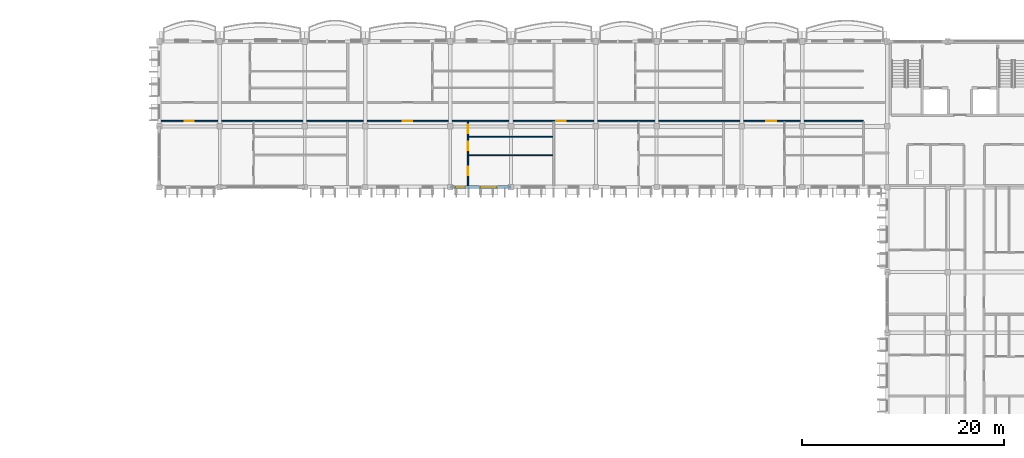
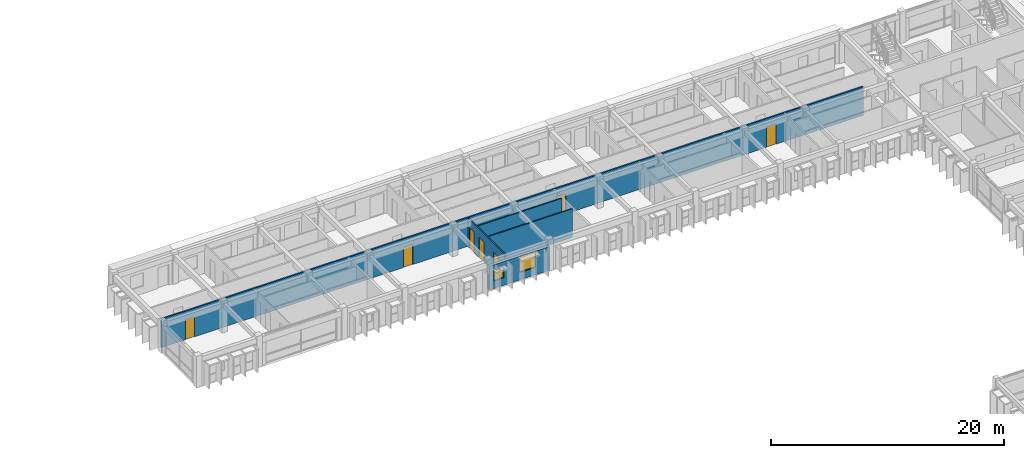
# One storey, part 34 of 68: 7 doors, 5 walls, 2 windows, 9 openings.
"""IFC4 building model written with IfcOpenShell, lengths in metres."""

from ifc_helpers import new_model, si_unit, direction, frame, frame_2d, origin, place, context, subcontext, project, spatial, rectangle, extrude, material, layer, layer_set, type_object, element, fill, save


model = new_model("IFC4")

# Units and contexts
model_context = context("Model", 3, precision=1e-05, world=origin(), true_north=direction((0.0, 1.0)))
body_context = subcontext(model_context, "Body", "Model", "MODEL_VIEW")
ifc_project = project(units=[si_unit("LENGTHUNIT", "METRE"), si_unit("AREAUNIT", "SQUARE_METRE"), si_unit("VOLUMEUNIT", "CUBIC_METRE"), si_unit("PLANEANGLEUNIT", "RADIAN"), si_unit("MASSUNIT", "GRAM", prefix="KILO"), si_unit("THERMODYNAMICTEMPERATUREUNIT", "KELVIN")], contexts=[model_context])

# Site, building, storey
site_placement = place(None, origin())
site = spatial("IfcSite", under=ifc_project, at=site_placement, CompositionType="ELEMENT")
building_placement = place(site_placement, origin())
building = spatial("IfcBuilding", under=site, at=building_placement, Name="Thalorik Housing Commons", CompositionType="ELEMENT")
storey_placement = place(building_placement, frame((0.0, 0.0, 24.60009765625)))
storey = spatial("IfcBuildingStorey", under=building, at=storey_placement, Name="L07", CompositionType="ELEMENT", Elevation=24.60009765625)

# Wall, openings, doors
ifc_material_1 = material(Name="Masonry fire-rated corridor wall", Category="masonry")
ifc_layer_1 = layer(ifc_material_1, 0.14990234375, Name="Masonry fire-rated corridor wall", Category="masonry")
ifc_layer_set_1 = layer_set([ifc_layer_1], Name="Masonry fire-rated corridor wall")
wall_type_1 = type_object("IfcWallType", Name="ARC-WAL-CORR-150", PredefinedType="PARTITIONING", material=ifc_layer_set_1)
wall_1_placement = place(storey_placement, frame((80.547119140625, 115.719970703125, 0.0), z_axis=(0.0, 0.0, 1.0), x_axis=(1.0, 0.0, 0.0)))
wall_1 = element("IfcWall", 1, at=wall_1_placement, inside=storey, type_object=wall_type_1, Name="L07 Block B N Corridor Wall 1", PredefinedType="PARTITIONING", context=body_context, shape_type="SweptSolid", body=[
    extrude(rectangle(XDim=69.5029296875, YDim=0.14990234375, at=frame_2d((34.75146484375, 0.0))), origin(), (0.0, 0.0, 1.0), 3.0),
])
opening_1_placement = place(wall_1_placement, frame((2.36669921875, 0.0, 0.0)))
opening_1 = element("IfcOpeningElement", 2, at=opening_1_placement, cuts=wall_1, Name="Opening ID-1302", PredefinedType="OPENING", context=body_context, shape_type="SweptSolid", body=[
    extrude(rectangle(XDim=0.919921875, YDim=2.10009765625, at=frame_2d((0.4599609375, 1.050048828125))), frame((0.0, 0.0849609375, 0.0), z_axis=(0.0, -1.0, 0.0), x_axis=(1.0, 0.0, 0.0)), (0.0, 0.0, 1.0), 0.169921875),
])
opening_2_placement = place(wall_1_placement, frame((23.968017578125, 0.0, 0.0)))
opening_2 = element("IfcOpeningElement", 3, at=opening_2_placement, cuts=wall_1, Name="Opening ID-1303", PredefinedType="OPENING", context=body_context, shape_type="SweptSolid", body=[
    extrude(rectangle(XDim=0.919921875, YDim=2.10009765625, at=frame_2d((0.4599609375, 1.050048828125))), frame((0.0, 0.0849609375, 0.0), z_axis=(0.0, -1.0, 0.0), x_axis=(1.0, 0.0, 0.0)), (0.0, 0.0, 1.0), 0.169921875),
])
opening_3_placement = place(wall_1_placement, frame((39.133056640625, 0.0, 0.0)))
opening_3 = element("IfcOpeningElement", 4, at=opening_3_placement, cuts=wall_1, Name="Opening ID-1304", PredefinedType="OPENING", context=body_context, shape_type="SweptSolid", body=[
    extrude(rectangle(XDim=0.919921875, YDim=2.10009765625, at=frame_2d((0.4599609375, 1.050048828125))), frame((0.0, 0.0849609375, 0.0), z_axis=(0.0, -1.0, 0.0), x_axis=(1.0, 0.0, 0.0)), (0.0, 0.0, 1.0), 0.169921875),
])
opening_4_placement = place(wall_1_placement, frame((59.90869140625, 0.0, 0.0)))
opening_4 = element("IfcOpeningElement", 5, at=opening_4_placement, cuts=wall_1, Name="Opening ID-1305", PredefinedType="OPENING", context=body_context, shape_type="SweptSolid", body=[
    extrude(rectangle(XDim=0.9599609375, YDim=2.1201171875, at=frame_2d((0.47998046875, 1.06005859375))), frame((0.0, 0.0849609375, 0.0), z_axis=(0.0, -1.0, 0.0), x_axis=(1.0, 0.0, 0.0)), (0.0, 0.0, 1.0), 0.169921875),
])
ifc_material_2 = material(Name="Solid core hardwood timber", Category="wood")
door_type_1 = type_object("IfcDoorType", Name="ARC-DR-FD30-920", OperationType="NOTDEFINED", PredefinedType="DOOR", material=ifc_material_2)
door_1_placement = place(opening_1_placement, origin())
door_1 = element("IfcDoor", 6, at=door_1_placement, inside=storey, type_object=door_type_1, Name="L07 Flat BN-1A Entrance Door", OperationType="SINGLE_SWING_LEFT", OverallHeight=2.10009765625, OverallWidth=0.919921875, PredefinedType="DOOR", context=body_context, shape_type="SweptSolid", body=[
    extrude(rectangle(XDim=0.919921875, YDim=2.10009765625, at=frame_2d((0.4599609375, 1.050048828125))), frame((0.0, 0.02490234375, 0.0), z_axis=(0.0, -1.0, 0.0), x_axis=(1.0, 0.0, 0.0)), (0.0, 0.0, 1.0), 0.050048828125),
])
fill(opening_1, door_1)
door_2_placement = place(opening_2_placement, origin())
door_2 = element("IfcDoor", 7, at=door_2_placement, inside=storey, type_object=door_type_1, Name="L07 Flat BN-2A Entrance Door", OperationType="SINGLE_SWING_RIGHT", OverallHeight=2.10009765625, OverallWidth=0.919921875, PredefinedType="DOOR", context=body_context, shape_type="SweptSolid", body=[
    extrude(rectangle(XDim=0.919921875, YDim=2.10009765625, at=frame_2d((0.4599609375, 1.050048828125))), frame((0.0, 0.02490234375, 0.0), z_axis=(0.0, -1.0, 0.0), x_axis=(1.0, 0.0, 0.0)), (0.0, 0.0, 1.0), 0.050048828125),
])
fill(opening_2, door_2)
door_3_placement = place(opening_3_placement, origin())
door_3 = element("IfcDoor", 8, at=door_3_placement, inside=storey, type_object=door_type_1, Name="L07 Flat BN-3A Entrance Door", OperationType="SINGLE_SWING_LEFT", OverallHeight=2.10009765625, OverallWidth=0.919921875, PredefinedType="DOOR", context=body_context, shape_type="SweptSolid", body=[
    extrude(rectangle(XDim=0.919921875, YDim=2.10009765625, at=frame_2d((0.4599609375, 1.050048828125))), frame((0.0, 0.02490234375, 0.0), z_axis=(0.0, -1.0, 0.0), x_axis=(1.0, 0.0, 0.0)), (0.0, 0.0, 1.0), 0.050048828125),
])
fill(opening_3, door_3)
door_type_2 = type_object("IfcDoorType", Name="ARC-DR-FD30-960", OperationType="NOTDEFINED", PredefinedType="DOOR", material=ifc_material_2)
door_4_placement = place(opening_4_placement, origin())
door_4 = element("IfcDoor", 9, at=door_4_placement, inside=storey, type_object=door_type_2, Name="L07 Flat BN-4A Entrance Door", OperationType="SINGLE_SWING_RIGHT", OverallHeight=2.1201171875, OverallWidth=0.9599609375, PredefinedType="DOOR", context=body_context, shape_type="SweptSolid", body=[
    extrude(rectangle(XDim=0.9599609375, YDim=2.1201171875, at=frame_2d((0.47998046875, 1.06005859375))), frame((0.0, 0.02490234375, 0.0), z_axis=(0.0, -1.0, 0.0), x_axis=(1.0, 0.0, 0.0)), (0.0, 0.0, 1.0), 0.050048828125),
])
fill(opening_4, door_4)

# Wall, openings, windows
ifc_material_3 = material(Name="White precast concrete C40/50", Category="concrete")
ifc_layer_2 = layer(ifc_material_3, 0.2900390625, Name="White precast concrete C40/50", Category="concrete")
ifc_layer_set_2 = layer_set([ifc_layer_2], Name="White precast concrete C40/50")
wall_type_2 = type_object("IfcWallType", Name="ARC-WAL-EXT-290", PredefinedType="STANDARD", material=ifc_layer_set_2)
wall_2_placement = place(storey_placement, frame((109.199951171875, 109.199951171875, 0.0), z_axis=(0.0, 0.0, 1.0), x_axis=(1.0, 0.0, 0.0)))
wall_2 = element("IfcWall", 10, at=wall_2_placement, inside=storey, type_object=wall_type_2, Name="L07 Exterior Wall WAL-EXT-L07-B-0655", PredefinedType="STANDARD", context=body_context, shape_type="SweptSolid", body=[
    extrude(rectangle(XDim=6.0, YDim=0.2900390625, at=frame_2d((3.0, 0.0))), origin(), (0.0, 0.0, 1.0), 2.474853515625),
])
opening_5_placement = place(wall_2_placement, frame((0.489990234375, 0.0, 0.780029296875)))
opening_5 = element("IfcOpeningElement", 11, at=opening_5_placement, cuts=wall_2, Name="Opening W-43", PredefinedType="OPENING", context=body_context, shape_type="SweptSolid", body=[
    extrude(rectangle(XDim=0.949951171875, YDim=1.14990234375, at=frame_2d((0.47509765625, 0.574951171875))), frame((0.0, 0.155029296875, 0.0), z_axis=(0.0, -1.0, 0.0), x_axis=(1.0, 0.0, 0.0)), (0.0, 0.0, 1.0), 0.31005859375),
])
opening_6_placement = place(wall_2_placement, frame((2.97509765625, 0.0, 0.780029296875)))
opening_6 = element("IfcOpeningElement", 12, at=opening_6_placement, cuts=wall_2, Name="Opening W-13", PredefinedType="OPENING", context=body_context, shape_type="SweptSolid", body=[
    extrude(rectangle(XDim=1.60009765625, YDim=1.550048828125, at=frame_2d((0.800048828125, 0.77490234375))), frame((0.0, 0.155029296875, 0.0), z_axis=(0.0, -1.0, 0.0), x_axis=(1.0, 0.0, 0.0)), (0.0, 0.0, 1.0), 0.31005859375),
])
ifc_material_4 = material(Name="Anodised aluminium and solar-control low-E glass", Category="aluminium")
window_type_1 = type_object("IfcWindowType", Name="ARC-WIN-13", PartitioningType="DOUBLE_PANEL_VERTICAL", PredefinedType="WINDOW", material=ifc_material_4)
window_1_placement = place(opening_6_placement, origin())
window_1 = element("IfcWindow", 13, at=window_1_placement, inside=storey, type_object=window_type_1, Name="L07 Facade Window 1196", OverallHeight=1.550048828125, OverallWidth=1.60009765625, PartitioningType="DOUBLE_PANEL_VERTICAL", PredefinedType="WINDOW", context=body_context, shape_type="SweptSolid", body=[
    extrude(rectangle(XDim=1.60009765625, YDim=1.550048828125, at=frame_2d((0.800048828125, 0.77490234375))), frame((0.0, 0.030029296875, 0.0), z_axis=(0.0, -1.0, 0.0), x_axis=(1.0, 0.0, 0.0)), (0.0, 0.0, 1.0), 0.06005859375),
])
fill(opening_6, window_1)
window_type_2 = type_object("IfcWindowType", Name="ARC-WIN-43", PartitioningType="SINGLE_PANEL", PredefinedType="WINDOW", material=ifc_material_4)
window_2_placement = place(opening_5_placement, origin())
window_2 = element("IfcWindow", 14, at=window_2_placement, inside=storey, type_object=window_type_2, Name="L07 Facade Window 1195", OverallHeight=1.14990234375, OverallWidth=0.949951171875, PartitioningType="SINGLE_PANEL", PredefinedType="WINDOW", context=body_context, shape_type="SweptSolid", body=[
    extrude(rectangle(XDim=0.949951171875, YDim=1.14990234375, at=frame_2d((0.47509765625, 0.574951171875))), frame((0.0, 0.030029296875, 0.0), z_axis=(0.0, -1.0, 0.0), x_axis=(1.0, 0.0, 0.0)), (0.0, 0.0, 1.0), 0.06005859375),
])
fill(opening_5, window_2)

# Walls
ifc_material_5 = material(Name="Gypsum light stud partition", Category="masonry")
ifc_layer_3 = layer(ifc_material_5, 0.10009765625, Name="Gypsum light stud partition", Category="masonry")
ifc_layer_set_3 = layer_set([ifc_layer_3], Name="Gypsum light stud partition")
wall_type_3 = type_object("IfcWallType", Name="ARC-WAL-PART-100", PredefinedType="PARTITIONING", material=ifc_layer_set_3)
wall_3_placement = place(storey_placement, frame((111.00439453125, 114.169677734375, 0.0), z_axis=(0.0, 0.0, 1.0), x_axis=(1.0, 0.0, 0.0)))
element("IfcWall", 15, at=wall_3_placement, inside=storey, type_object=wall_type_3, Name="L07 Unit 2 Wet Wall", PredefinedType="PARTITIONING", context=body_context, shape_type="SweptSolid", body=[
    extrude(rectangle(XDim=8.3310546875, YDim=0.10009765625, at=frame_2d((4.16552734375, 0.0))), origin(), (0.0, 0.0, 1.0), 3.0),
])
ifc_material_6 = material(Name="Gypsum moisture-resistant partition", Category="masonry")
ifc_layer_4 = layer(ifc_material_6, 0.114990234375, Name="Gypsum moisture-resistant partition", Category="masonry")
ifc_layer_set_4 = layer_set([ifc_layer_4], Name="Gypsum moisture-resistant partition")
wall_type_4 = type_object("IfcWallType", Name="ARC-WAL-PART-115", PredefinedType="PARTITIONING", material=ifc_layer_set_4)
wall_4_placement = place(storey_placement, frame((111.00439453125, 112.36083984375, 0.0), z_axis=(0.0, 0.0, 1.0), x_axis=(1.0, 0.0, 0.0)))
element("IfcWall", 16, at=wall_4_placement, inside=storey, type_object=wall_type_4, Name="L07 Unit 2 Bedroom Partition", PredefinedType="PARTITIONING", context=body_context, shape_type="SweptSolid", body=[
    extrude(rectangle(XDim=8.3310546875, YDim=0.114990234375, at=frame_2d((4.16552734375, 0.0))), origin(), (0.0, 0.0, 1.0), 3.0),
])

# Wall, openings, doors
ifc_material_7 = material(Name="Gypsum acoustic stud partition", Category="masonry")
ifc_layer_5 = layer(ifc_material_7, 0.125, Name="Gypsum acoustic stud partition", Category="masonry")
ifc_layer_set_5 = layer_set([ifc_layer_5], Name="Gypsum acoustic stud partition")
wall_type_5 = type_object("IfcWallType", Name="ARC-WAL-PART-125", PredefinedType="PARTITIONING", material=ifc_layer_set_5)
wall_5_placement = place(storey_placement, frame((110.93994140625, 109.346923828125, 0.0), z_axis=(0.0, 0.0, 1.0), x_axis=(0.0, 1.0, 0.0)))
wall_5 = element("IfcWall", 17, at=wall_5_placement, inside=storey, type_object=wall_type_5, Name="L07 Unit 2 Spine Partition", PredefinedType="PARTITIONING", context=body_context, shape_type="SweptSolid", body=[
    extrude(rectangle(XDim=6.296142578125, YDim=0.125, at=frame_2d((3.14794921875, 0.0))), origin(), (0.0, 0.0, 1.0), 3.0),
])
opening_7_placement = place(wall_5_placement, frame((1.038330078125, 0.0, 0.0)))
opening_7 = element("IfcOpeningElement", 18, at=opening_7_placement, cuts=wall_5, Name="Opening ID-1284", PredefinedType="OPENING", context=body_context, shape_type="SweptSolid", body=[
    extrude(rectangle(XDim=0.820068359375, YDim=2.080078125, at=frame_2d((0.41015625, 1.0400390625))), frame((0.0, 0.072509765625, 0.0), z_axis=(0.0, -1.0, 0.0), x_axis=(1.0, 0.0, 0.0)), (0.0, 0.0, 1.0), 0.14501953125),
])
opening_8_placement = place(wall_5_placement, frame((3.4931640625, 0.0, 0.0)))
opening_8 = element("IfcOpeningElement", 19, at=opening_8_placement, cuts=wall_5, Name="Opening ID-1285", PredefinedType="OPENING", context=body_context, shape_type="SweptSolid", body=[
    extrude(rectangle(XDim=0.85009765625, YDim=2.10009765625, at=frame_2d((0.425048828125, 1.050048828125))), frame((0.0, 0.072509765625, 0.0), z_axis=(0.0, -1.0, 0.0), x_axis=(1.0, 0.0, 0.0)), (0.0, 0.0, 1.0), 0.14501953125),
])
opening_9_placement = place(wall_5_placement, frame((5.19775390625, 0.0, 0.0)))
opening_9 = element("IfcOpeningElement", 20, at=opening_9_placement, cuts=wall_5, Name="Opening ID-1286", PredefinedType="OPENING", context=body_context, shape_type="SweptSolid", body=[
    extrude(rectangle(XDim=0.800048828125, YDim=2.10009765625, at=frame_2d((0.39990234375, 1.050048828125))), frame((0.0, 0.072509765625, 0.0), z_axis=(0.0, -1.0, 0.0), x_axis=(1.0, 0.0, 0.0)), (0.0, 0.0, 1.0), 0.14501953125),
])
ifc_material_8 = material(Name="Moisture-resistant timber", Category="wood")
door_type_3 = type_object("IfcDoorType", Name="ARC-DR-INT-800", OperationType="NOTDEFINED", PredefinedType="DOOR", material=ifc_material_8)
door_5_placement = place(opening_9_placement, origin())
door_5 = element("IfcDoor", 21, at=door_5_placement, inside=storey, type_object=door_type_3, Name="L07 Flat Bathroom Door", OperationType="SINGLE_SWING_LEFT", OverallHeight=2.10009765625, OverallWidth=0.800048828125, PredefinedType="DOOR", context=body_context, shape_type="SweptSolid", body=[
    extrude(rectangle(XDim=0.800048828125, YDim=2.10009765625, at=frame_2d((0.39990234375, 1.050048828125))), frame((0.0, 0.02490234375, 0.0), z_axis=(0.0, -1.0, 0.0), x_axis=(1.0, 0.0, 0.0)), (0.0, 0.0, 1.0), 0.050048828125),
])
fill(opening_9, door_5)
ifc_material_9 = material(Name="Engineered oak timber", Category="wood")
door_type_4 = type_object("IfcDoorType", Name="ARC-DR-INT-820", OperationType="NOTDEFINED", PredefinedType="DOOR", material=ifc_material_9)
door_6_placement = place(opening_7_placement, origin())
door_6 = element("IfcDoor", 22, at=door_6_placement, inside=storey, type_object=door_type_4, Name="L07 Double Bedroom Door", OperationType="SINGLE_SWING_LEFT", OverallHeight=2.080078125, OverallWidth=0.820068359375, PredefinedType="DOOR", context=body_context, shape_type="SweptSolid", body=[
    extrude(rectangle(XDim=0.820068359375, YDim=2.080078125, at=frame_2d((0.41015625, 1.0400390625))), frame((0.0, 0.02490234375, 0.0), z_axis=(0.0, -1.0, 0.0), x_axis=(1.0, 0.0, 0.0)), (0.0, 0.0, 1.0), 0.050048828125),
])
fill(opening_7, door_6)
door_type_5 = type_object("IfcDoorType", Name="ARC-DR-INT-850", OperationType="NOTDEFINED", PredefinedType="DOOR", material=ifc_material_9)
door_7_placement = place(opening_8_placement, origin())
door_7 = element("IfcDoor", 23, at=door_7_placement, inside=storey, type_object=door_type_5, Name="L07 Galley Kitchen Door", OperationType="SINGLE_SWING_RIGHT", OverallHeight=2.10009765625, OverallWidth=0.85009765625, PredefinedType="DOOR", context=body_context, shape_type="SweptSolid", body=[
    extrude(rectangle(XDim=0.85009765625, YDim=2.10009765625, at=frame_2d((0.425048828125, 1.050048828125))), frame((0.0, 0.02490234375, 0.0), z_axis=(0.0, -1.0, 0.0), x_axis=(1.0, 0.0, 0.0)), (0.0, 0.0, 1.0), 0.050048828125),
])
fill(opening_8, door_7)

save(model, "model.ifc")
